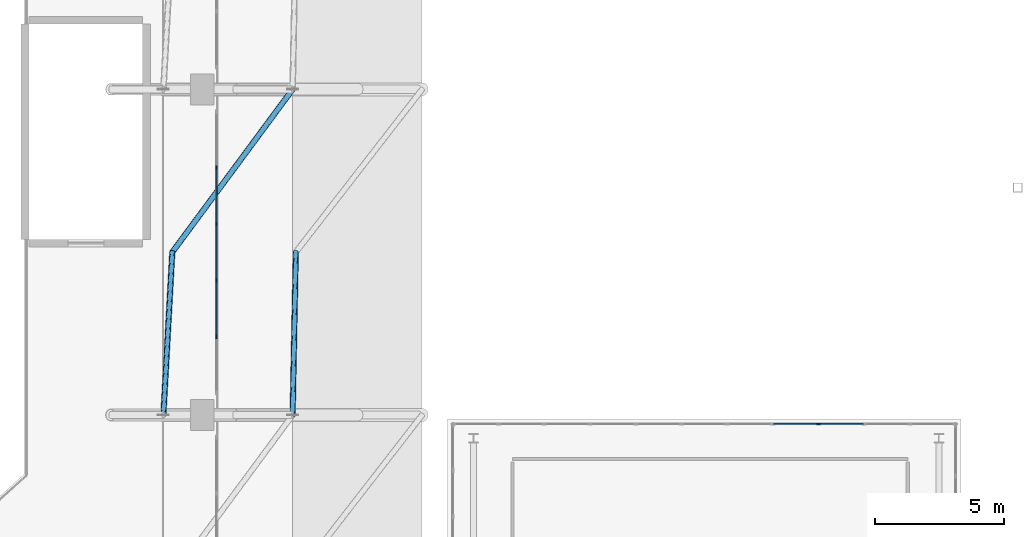
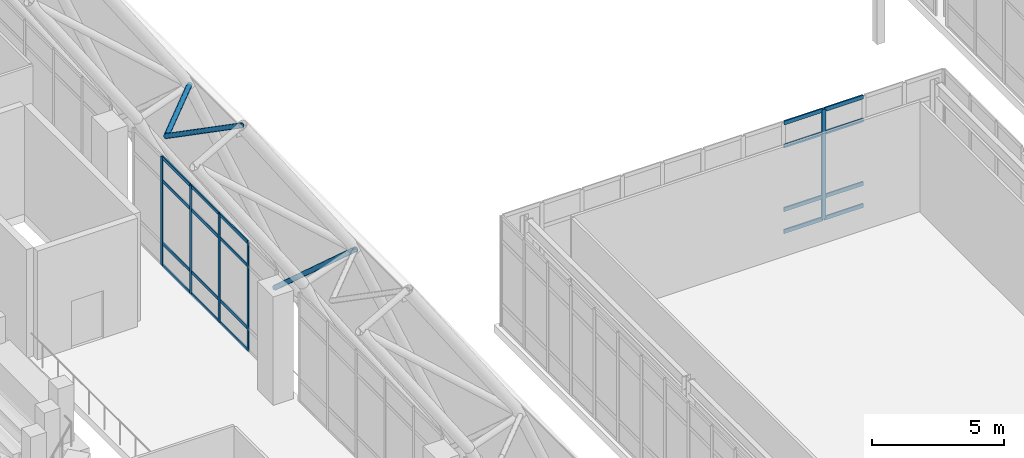
# One storey, part 43 of 159: 28 members, 2 elements without a shape of their own.
"""IFC4 building model written with IfcOpenShell, lengths in metres."""

import ifcopenshell
import ifcopenshell.guid

model = None  # the IFC model being written
_history = None  # IfcOwnerHistory: only IFC2X3 demands one
_inside = {}  # id of a spatial element -> (the spatial element, [elements in it])
_under = {}  # id of a project, library or spatial element -> (it, [spatial elements below it])
_declared = {}  # id of a project -> (the project, [libraries it declares])
_typed = {}  # id of a type object -> (the type object, [elements of that type])
_made_of = {}  # id of a material, layer set ... -> (it, [elements and type objects made of it])


def new_model(schema):
    """Start an empty IFC model of exactly this schema.

    Asked for "IFC4X3", IfcOpenShell would pick the latest addendum, in which some entities
    have other attributes; the version numbers below select the first issue.
    IFC2X3 requires an IfcOwnerHistory on every rooted entity: one is made here for all.
    """
    global model, _history
    if schema == "IFC4X3":
        model = ifcopenshell.file(schema_version=(4, 3, 0, 0))
    else:
        model = ifcopenshell.file(schema=schema)
    _inside.clear()
    _under.clear()
    _declared.clear()
    _typed.clear()
    _made_of.clear()
    _history = None
    if model.schema == "IFC2X3":
        org = make("IfcOrganization", Name="unknown")
        user = make(
            "IfcPersonAndOrganization",
            ThePerson=make("IfcPerson", FamilyName="unknown"),
            TheOrganization=org,
        )
        app = make(
            "IfcApplication",
            ApplicationDeveloper=org,
            Version="unknown",
            ApplicationFullName="unknown",
            ApplicationIdentifier="unknown",
        )
        _history = make(
            "IfcOwnerHistory",
            OwningUser=user,
            OwningApplication=app,
            ChangeAction="ADDED",
            CreationDate=0,
        )
    return model


def make(cls, **values):
    """One entity of the class cls with the attributes given. An attribute that is None is left unset."""
    return model.create_entity(
        cls, **{name: value for name, value in values.items() if value is not None}
    )


def rooted(cls, **values):
    """An entity with a GlobalId (a new one), such as an element, a storey or a relation."""
    return make(cls, GlobalId=ifcopenshell.guid.new(), OwnerHistory=_history, **values)


def si_unit(unit_type, name, prefix=None):
    """IfcSIUnit, for example si_unit("LENGTHUNIT", "METRE", prefix="MILLI")."""
    return make("IfcSIUnit", UnitType=unit_type, Prefix=prefix, Name=name)


def derived_unit(unit_type, elements):
    """IfcDerivedUnit: a product of units, each with its exponent."""
    return make(
        "IfcDerivedUnit",
        Elements=[
            make("IfcDerivedUnitElement", Unit=unit, Exponent=power)
            for unit, power in elements
        ],
        UnitType=unit_type,
    )


def assignment(units):
    """IfcUnitAssignment: the units of a project."""
    return None if units is None else make("IfcUnitAssignment", Units=units)


def point(xyz):
    """IfcCartesianPoint."""
    return None if xyz is None else make("IfcCartesianPoint", Coordinates=xyz)


def direction(xyz):
    """IfcDirection."""
    return None if xyz is None else make("IfcDirection", DirectionRatios=xyz)


def frame(location, z_axis=None, x_axis=None):
    """IfcAxis2Placement3D, a coordinate frame: its origin and axes. An axis left out is left unset."""
    return make(
        "IfcAxis2Placement3D",
        Location=point(location),
        Axis=direction(z_axis),
        RefDirection=direction(x_axis),
    )


def frame_2d(location, x_axis=None):
    """IfcAxis2Placement2D, a coordinate frame in the plane: its origin and x axis."""
    return make(
        "IfcAxis2Placement2D", Location=point(location), RefDirection=direction(x_axis)
    )


def origin():
    """The frame at (0, 0, 0) with its axes left unset."""
    return frame((0.0, 0.0, 0.0))


def origin_2d():
    """The frame at (0, 0) in the plane with its x axis left unset."""
    return frame_2d((0.0, 0.0))


def place(relative_to, where):
    """IfcLocalPlacement: puts the frame where relative to a parent placement (None: the world)."""
    return make(
        "IfcLocalPlacement", PlacementRelTo=relative_to, RelativePlacement=where
    )


def context(
    kind, dimensions, precision=None, world=None, true_north=None, identifier=None
):
    """IfcGeometricRepresentationContext, for example the 3D "Model" context."""
    return make(
        "IfcGeometricRepresentationContext",
        ContextIdentifier=identifier,
        ContextType=kind,
        CoordinateSpaceDimension=dimensions,
        Precision=precision,
        WorldCoordinateSystem=world,
        TrueNorth=true_north,
    )


def subcontext(parent, identifier, kind, view, scale=None):
    """IfcGeometricRepresentationSubContext, for example "Body" below "Model"."""
    return make(
        "IfcGeometricRepresentationSubContext",
        ContextIdentifier=identifier,
        ContextType=kind,
        ParentContext=parent,
        TargetScale=scale,
        TargetView=view,
    )


def project(units=None, contexts=None):
    """IfcProject with its units and contexts."""
    return rooted(
        "IfcProject",
        Name="project",
        RepresentationContexts=contexts,
        UnitsInContext=assignment(units),
    )


def spatial(cls, under=None, at=None, **own):
    """A site, building, storey or space (cls), placed at a placement, below another one or the project."""
    s = rooted(cls, ObjectPlacement=at, **own)
    if under is not None:
        _under.setdefault(under.id(), (under, []))[1].append(s)
    return s


def profile(cls, at=None, kind="AREA", **sizes):
    """A parametric profile (cls). Its sizes go by their IFC names, for example OverallWidth=200.0."""
    return make(cls, ProfileType=kind, Position=at, **sizes)


def rectangle(**sizes):
    """IfcRectangleProfileDef."""
    return profile("IfcRectangleProfileDef", **sizes)


def hollow_circle(**sizes):
    """IfcCircleHollowProfileDef."""
    return profile("IfcCircleHollowProfileDef", **sizes)


def extrude(swept, where, along, depth):
    """IfcExtrudedAreaSolid: the profile swept, set in the frame where, extruded along a direction by depth."""
    return make(
        "IfcExtrudedAreaSolid",
        SweptArea=swept,
        Position=where,
        ExtrudedDirection=direction(along),
        Depth=depth,
    )


def shape(context_of_items, identifier, shape_type, items):
    """IfcShapeRepresentation: the items that make up one representation, for example the "Body"."""
    return make(
        "IfcShapeRepresentation",
        ContextOfItems=context_of_items,
        RepresentationIdentifier=identifier,
        RepresentationType=shape_type,
        Items=items,
    )


def material(Name=None, Category=None):
    """IfcMaterial."""
    return make("IfcMaterial", Name=Name, Category=Category)


def layer(
    of_material, thickness, ventilated=None, Name=None, Category=None, Priority=None
):
    """IfcMaterialLayer: one layer of a wall or slab, of a material (None: an air gap)."""
    return make(
        "IfcMaterialLayer",
        Material=of_material,
        LayerThickness=thickness,
        IsVentilated=ventilated,
        Name=Name,
        Category=Category,
        Priority=Priority,
    )


def layer_set(layers, Name=None):
    """IfcMaterialLayerSet."""
    return make("IfcMaterialLayerSet", MaterialLayers=layers, LayerSetName=Name)


def material_profile(
    of_material, cross_section, Name=None, Category=None, Priority=None
):
    """IfcMaterialProfile: a cross section and its material."""
    return make(
        "IfcMaterialProfile",
        Name=Name,
        Material=of_material,
        Profile=cross_section,
        Priority=Priority,
        Category=Category,
    )


def profile_set(profiles, Name=None, composite=None):
    """IfcMaterialProfileSet."""
    return make(
        "IfcMaterialProfileSet",
        Name=Name,
        MaterialProfiles=profiles,
        CompositeProfile=composite,
    )


def made_of(thing, what):
    """Note that an element or type object is made of a material, layer set ...; save() writes the relation."""
    if what is not None:
        _made_of.setdefault(what.id(), (what, []))[1].append(thing)
    return thing


def type_object(cls, material=None, **own):
    """A type object (cls), such as IfcWallType, which elements share."""
    return made_of(rooted(cls, **own), material)


def element(
    cls,
    number,
    at=None,
    inside=None,
    cuts=None,
    type_object=None,
    material=None,
    context=None,
    identifier="Body",
    shape_type=None,
    held_by="IfcProductDefinitionShape",
    body=None,
    shapes=None,
    **own,
):
    """One element of the class cls, such as IfcWall. Its Tag is "e" and its number.

    at: its placement. inside: the storey or other place that contains it. cuts: it is an
    opening in that element (IfcRelVoidsElement). A single representation is given by context,
    identifier, shape_type and body (its items); several are given by shapes. held_by: the class
    of the entity that holds the representations. save() writes the other relations.
    """
    e = rooted(cls, Tag="e%d" % number, ObjectPlacement=at, **own)
    if body is not None:
        shapes = [shape(context, identifier, shape_type, body)]
    if shapes is not None:
        e.Representation = make(held_by, Representations=shapes)
    if inside is not None:
        _inside.setdefault(inside.id(), (inside, []))[1].append(e)
    if cuts is not None:
        rooted(
            "IfcRelVoidsElement", RelatingBuildingElement=cuts, RelatedOpeningElement=e
        )
    if type_object is not None:
        _typed.setdefault(type_object.id(), (type_object, []))[1].append(e)
    return made_of(e, material)


def aggregate(whole, parts):
    """IfcRelAggregates: a whole, such as a stair, and the parts it consists of."""
    return rooted("IfcRelAggregates", RelatingObject=whole, RelatedObjects=parts)


def save(model, path):
    """Write the relations noted so far, then the file.

    IfcRelAggregates (storeys below a building ...), IfcRelContainedInSpatialStructure (elements
    in a storey), IfcRelDefinesByType, IfcRelAssociatesMaterial and IfcRelDeclares: one each for
    every whole, place, type object, material and project.
    """
    for whole, parts in _under.values():
        aggregate(whole, parts)
    for where, things in _inside.values():
        rooted(
            "IfcRelContainedInSpatialStructure",
            RelatedElements=things,
            RelatingStructure=where,
        )
    for kind, things in _typed.values():
        rooted("IfcRelDefinesByType", RelatedObjects=things, RelatingType=kind)
    for what, things in _made_of.values():
        rooted("IfcRelAssociatesMaterial", RelatedObjects=things, RelatingMaterial=what)
    for by, libraries in _declared.values():
        rooted("IfcRelDeclares", RelatingContext=by, RelatedDefinitions=libraries)
    model.write(path)


model = new_model("IFC4")

# Units and contexts
model_context = context("Model", 3, precision=1e-05, world=origin(), true_north=direction((0.0, 1.0)))
body_context = subcontext(model_context, "Body", "Model", "MODEL_VIEW")
ifc_project = project(units=[si_unit("LENGTHUNIT", "METRE"), si_unit("AREAUNIT", "SQUARE_METRE"), si_unit("VOLUMEUNIT", "CUBIC_METRE"), si_unit("PLANEANGLEUNIT", "RADIAN"), si_unit("MASSUNIT", "GRAM", prefix="KILO"), derived_unit("THERMALTRANSMITTANCEUNIT", [(si_unit("MASSUNIT", "GRAM", prefix="KILO"), 1), (si_unit("TIMEUNIT", "SECOND"), -3), (si_unit("THERMODYNAMICTEMPERATUREUNIT", "KELVIN"), -1)])], contexts=[model_context])

# Site, building, storey
site_placement = place(None, origin())
site = spatial("IfcSite", under=ifc_project, at=site_placement, CompositionType="ELEMENT")
building_placement = place(site_placement, origin())
building = spatial("IfcBuilding", under=site, at=building_placement, Name="Valcora Ridge Arena", CompositionType="ELEMENT")
storey_placement = place(building_placement, frame((0.0, 0.0, 6.0)))
storey = spatial("IfcBuildingStorey", under=building, at=storey_placement, Name="L01", CompositionType="ELEMENT", Elevation=6.0)

# Curtain wall, members
ifc_material_1 = material(Name="Anodised dark bronze architectural aluminium 6063-T6", Category="aluminium")
ifc_layer_1 = layer(ifc_material_1, 0.14990234375, Name="Anodised dark bronze architectural aluminium 6063-T6")
ifc_layer_set_1 = layer_set([ifc_layer_1], Name="Anodised dark bronze architectural aluminium 6063-T6")
curtain_wall_type_1 = type_object("IfcCurtainWallType", Name="TY-CURTAINWALL-CW-V1-EAST-109X50", PredefinedType="NOTDEFINED", material=ifc_layer_set_1)
curtain_wall_1_placement = place(storey_placement, origin())
curtain_wall_1 = element("IfcCurtainWall", 1, at=curtain_wall_1_placement, inside=storey, type_object=curtain_wall_type_1, Name="CW-V1-EAST-109X50 CW-0108", PredefinedType="NOTDEFINED")
ifc_material_profile_1 = material_profile(ifc_material_1, rectangle(XDim=0.050048828125, YDim=0.14990234375, at=origin_2d()), Name="ALU MULLION 50x150")
ifc_profile_set_1 = profile_set([ifc_material_profile_1], Name="Anodised dark bronze architectural aluminium 6063-T6")
member_type_1 = type_object("IfcMemberType", Name="TY-MEM-CWM-50x150", PredefinedType="MULLION", material=ifc_profile_set_1)
member_1_placement = place(storey_placement, frame((103.050048828125, 48.22412109375, 0.0), z_axis=(0.0, 0.0, 1.0), x_axis=(-1.0, 0.0, 0.0)))
member_1 = element("IfcMember", 2, at=member_1_placement, type_object=member_type_1, Name="CW-0108/CWM-50x150/M01", PredefinedType="MULLION", context=body_context, shape_type="SweptSolid", body=[
    extrude(rectangle(XDim=0.050048828125, YDim=0.14990234375, at=origin_2d()), origin(), (0.0, 0.0, 1.0), 5.0400390625),
])
member_2_placement = place(storey_placement, frame((103.050048828125, 50.407958984375, 0.0), z_axis=(0.0, 0.0, 1.0), x_axis=(-1.0, 0.0, 0.0)))
member_2 = element("IfcMember", 3, at=member_2_placement, type_object=member_type_1, Name="CW-0108/CWM-50x150/M02", PredefinedType="MULLION", context=body_context, shape_type="SweptSolid", body=[
    extrude(rectangle(XDim=0.050048828125, YDim=0.14990234375, at=origin_2d()), origin(), (0.0, 0.0, 1.0), 5.0400390625),
])
member_3_placement = place(storey_placement, frame((103.050048828125, 52.592041015625, 0.0), z_axis=(0.0, 0.0, 1.0), x_axis=(-1.0, 0.0, 0.0)))
member_3 = element("IfcMember", 4, at=member_3_placement, type_object=member_type_1, Name="CW-0108/CWM-50x150/M03", PredefinedType="MULLION", context=body_context, shape_type="SweptSolid", body=[
    extrude(rectangle(XDim=0.050048828125, YDim=0.14990234375, at=origin_2d()), origin(), (0.0, 0.0, 1.0), 5.0400390625),
])
member_4_placement = place(storey_placement, frame((103.050048828125, 54.77587890625, 0.0), z_axis=(0.0, 0.0, 1.0), x_axis=(-1.0, 0.0, 0.0)))
member_4 = element("IfcMember", 5, at=member_4_placement, type_object=member_type_1, Name="CW-0108/CWM-50x150/M04", PredefinedType="MULLION", context=body_context, shape_type="SweptSolid", body=[
    extrude(rectangle(XDim=0.050048828125, YDim=0.14990234375, at=origin_2d()), origin(), (0.0, 0.0, 1.0), 5.0400390625),
])

# Curtain wall, member
ifc_layer_2 = layer(ifc_material_1, 0.179931640625, Name="Anodised dark bronze architectural aluminium 6063-T6")
ifc_layer_set_2 = layer_set([ifc_layer_2], Name="Anodised dark bronze architectural aluminium 6063-T6")
curtain_wall_type_2 = type_object("IfcCurtainWallType", Name="TY-CURTAINWALL-CW-V3-LANCET-194X51", PredefinedType="NOTDEFINED", material=ifc_layer_set_2)
curtain_wall_2_placement = place(storey_placement, origin())
curtain_wall_2 = element("IfcCurtainWall", 6, at=curtain_wall_2_placement, inside=storey, type_object=curtain_wall_type_2, Name="CW-V3-LANCET-194X51 CW-0017", PredefinedType="NOTDEFINED")
ifc_material_profile_2 = material_profile(ifc_material_1, rectangle(XDim=0.06005859375, YDim=0.179931640625, at=origin_2d()), Name="ALU MULLION 60x180")
ifc_profile_set_2 = profile_set([ifc_material_profile_2], Name="Anodised dark bronze architectural aluminium 6063-T6")
member_type_2 = type_object("IfcMemberType", Name="TY-MEM-CWM-60x180", PredefinedType="MULLION", material=ifc_profile_set_2)
member_5_placement = place(storey_placement, frame((126.345458984375, 44.85009765625, 0.0), z_axis=(0.0, 0.0, 1.0), x_axis=(0.0, 1.0, 0.0)))
member_5 = element("IfcMember", 7, at=member_5_placement, type_object=member_type_2, Name="CW-0017/CWM-60x180/M08", PredefinedType="MULLION", context=body_context, shape_type="SweptSolid", body=[
    extrude(rectangle(XDim=0.06005859375, YDim=0.179931640625, at=origin_2d()), origin(), (0.0, 0.0, 1.0), 5.10009765625),
])

# Member
ifc_material_profile_3 = material_profile(ifc_material_1, rectangle(XDim=0.050048828125, YDim=0.14990234375, at=origin_2d()), Name="ALU TRANSOM 50x150")
ifc_profile_set_3 = profile_set([ifc_material_profile_3], Name="Anodised dark bronze architectural aluminium 6063-T6")
member_type_3 = type_object("IfcMemberType", Name="TY-MEM-CWT-50x150", PredefinedType="USERDEFINED", material=ifc_profile_set_3)
member_6_placement = place(storey_placement, frame((103.050048828125, 48.2490234375, 0.02490234375), z_axis=(0.0, 1.0, 0.0), x_axis=(-1.0, 0.0, 0.0)))
member_6 = element("IfcMember", 8, at=member_6_placement, type_object=member_type_3, Name="CW-0108/CWT-50x150/T01-00", ObjectType="TRANSOM", PredefinedType="USERDEFINED", context=body_context, shape_type="SweptSolid", body=[
    extrude(rectangle(XDim=0.050048828125, YDim=0.14990234375, at=origin_2d()), origin(), (0.0, 0.0, 1.0), 2.134033203125),
])

member_7_placement = place(storey_placement, frame((103.050048828125, 48.2490234375, 1.050048828125), z_axis=(0.0, 1.0, 0.0), x_axis=(-1.0, 0.0, 0.0)))
member_7 = element("IfcMember", 9, at=member_7_placement, type_object=member_type_3, Name="CW-0108/CWT-50x150/T01-01", ObjectType="TRANSOM", PredefinedType="USERDEFINED", context=body_context, shape_type="SweptSolid", body=[
    extrude(rectangle(XDim=0.050048828125, YDim=0.14990234375, at=origin_2d()), origin(), (0.0, 0.0, 1.0), 2.134033203125),
])

member_8_placement = place(storey_placement, frame((103.050048828125, 48.2490234375, 3.93994140625), z_axis=(0.0, 1.0, 0.0), x_axis=(-1.0, 0.0, 0.0)))
member_8 = element("IfcMember", 10, at=member_8_placement, type_object=member_type_3, Name="CW-0108/CWT-50x150/T01-02", ObjectType="TRANSOM", PredefinedType="USERDEFINED", context=body_context, shape_type="SweptSolid", body=[
    extrude(rectangle(XDim=0.050048828125, YDim=0.14990234375, at=origin_2d()), origin(), (0.0, 0.0, 1.0), 2.134033203125),
])

member_9_placement = place(storey_placement, frame((103.050048828125, 48.2490234375, 5.014892578125), z_axis=(0.0, 1.0, 0.0), x_axis=(-1.0, 0.0, 0.0)))
member_9 = element("IfcMember", 11, at=member_9_placement, type_object=member_type_3, Name="CW-0108/CWT-50x150/T01-03", ObjectType="TRANSOM", PredefinedType="USERDEFINED", context=body_context, shape_type="SweptSolid", body=[
    extrude(rectangle(XDim=0.050048828125, YDim=0.14990234375, at=origin_2d()), origin(), (0.0, 0.0, 1.0), 2.134033203125),
])

member_10_placement = place(storey_placement, frame((103.050048828125, 50.43310546875, 0.02490234375), z_axis=(0.0, 1.0, 0.0), x_axis=(-1.0, 0.0, 0.0)))
member_10 = element("IfcMember", 12, at=member_10_placement, type_object=member_type_3, Name="CW-0108/CWT-50x150/T02-00", ObjectType="TRANSOM", PredefinedType="USERDEFINED", context=body_context, shape_type="SweptSolid", body=[
    extrude(rectangle(XDim=0.050048828125, YDim=0.14990234375, at=origin_2d()), origin(), (0.0, 0.0, 1.0), 2.1337890625),
])

member_11_placement = place(storey_placement, frame((103.050048828125, 50.43310546875, 1.050048828125), z_axis=(0.0, 1.0, 0.0), x_axis=(-1.0, 0.0, 0.0)))
member_11 = element("IfcMember", 13, at=member_11_placement, type_object=member_type_3, Name="CW-0108/CWT-50x150/T02-01", ObjectType="TRANSOM", PredefinedType="USERDEFINED", context=body_context, shape_type="SweptSolid", body=[
    extrude(rectangle(XDim=0.050048828125, YDim=0.14990234375, at=origin_2d()), origin(), (0.0, 0.0, 1.0), 2.1337890625),
])

member_12_placement = place(storey_placement, frame((103.050048828125, 50.43310546875, 3.93994140625), z_axis=(0.0, 1.0, 0.0), x_axis=(-1.0, 0.0, 0.0)))
member_12 = element("IfcMember", 14, at=member_12_placement, type_object=member_type_3, Name="CW-0108/CWT-50x150/T02-02", ObjectType="TRANSOM", PredefinedType="USERDEFINED", context=body_context, shape_type="SweptSolid", body=[
    extrude(rectangle(XDim=0.050048828125, YDim=0.14990234375, at=origin_2d()), origin(), (0.0, 0.0, 1.0), 2.1337890625),
])

member_13_placement = place(storey_placement, frame((103.050048828125, 50.43310546875, 5.014892578125), z_axis=(0.0, 1.0, 0.0), x_axis=(-1.0, 0.0, 0.0)))
member_13 = element("IfcMember", 15, at=member_13_placement, type_object=member_type_3, Name="CW-0108/CWT-50x150/T02-03", ObjectType="TRANSOM", PredefinedType="USERDEFINED", context=body_context, shape_type="SweptSolid", body=[
    extrude(rectangle(XDim=0.050048828125, YDim=0.14990234375, at=origin_2d()), origin(), (0.0, 0.0, 1.0), 2.1337890625),
])

member_14_placement = place(storey_placement, frame((103.050048828125, 52.616943359375, 0.02490234375), z_axis=(0.0, 1.0, 0.0), x_axis=(-1.0, 0.0, 0.0)))
member_14 = element("IfcMember", 16, at=member_14_placement, type_object=member_type_3, Name="CW-0108/CWT-50x150/T03-00", ObjectType="TRANSOM", PredefinedType="USERDEFINED", context=body_context, shape_type="SweptSolid", body=[
    extrude(rectangle(XDim=0.050048828125, YDim=0.14990234375, at=origin_2d()), origin(), (0.0, 0.0, 1.0), 2.134033203125),
])

member_15_placement = place(storey_placement, frame((103.050048828125, 52.616943359375, 1.050048828125), z_axis=(0.0, 1.0, 0.0), x_axis=(-1.0, 0.0, 0.0)))
member_15 = element("IfcMember", 17, at=member_15_placement, type_object=member_type_3, Name="CW-0108/CWT-50x150/T03-01", ObjectType="TRANSOM", PredefinedType="USERDEFINED", context=body_context, shape_type="SweptSolid", body=[
    extrude(rectangle(XDim=0.050048828125, YDim=0.14990234375, at=origin_2d()), origin(), (0.0, 0.0, 1.0), 2.134033203125),
])

member_16_placement = place(storey_placement, frame((103.050048828125, 52.616943359375, 3.93994140625), z_axis=(0.0, 1.0, 0.0), x_axis=(-1.0, 0.0, 0.0)))
member_16 = element("IfcMember", 18, at=member_16_placement, type_object=member_type_3, Name="CW-0108/CWT-50x150/T03-02", ObjectType="TRANSOM", PredefinedType="USERDEFINED", context=body_context, shape_type="SweptSolid", body=[
    extrude(rectangle(XDim=0.050048828125, YDim=0.14990234375, at=origin_2d()), origin(), (0.0, 0.0, 1.0), 2.134033203125),
])

member_17_placement = place(storey_placement, frame((103.050048828125, 52.616943359375, 5.014892578125), z_axis=(0.0, 1.0, 0.0), x_axis=(-1.0, 0.0, 0.0)))
member_17 = element("IfcMember", 19, at=member_17_placement, type_object=member_type_3, Name="CW-0108/CWT-50x150/T03-03", ObjectType="TRANSOM", PredefinedType="USERDEFINED", context=body_context, shape_type="SweptSolid", body=[
    extrude(rectangle(XDim=0.050048828125, YDim=0.14990234375, at=origin_2d()), origin(), (0.0, 0.0, 1.0), 2.134033203125),
])

aggregate(curtain_wall_1, [member_1, member_2, member_3, member_4, member_6, member_7, member_8, member_9, member_10, member_11, member_12, member_13, member_14, member_15, member_16, member_17])

ifc_material_profile_4 = material_profile(ifc_material_1, rectangle(XDim=0.06005859375, YDim=0.179931640625, at=origin_2d()), Name="ALU TRANSOM 60x180")
ifc_profile_set_4 = profile_set([ifc_material_profile_4], Name="Anodised dark bronze architectural aluminium 6063-T6")
member_type_4 = type_object("IfcMemberType", Name="TY-MEM-CWT-60x180", PredefinedType="USERDEFINED", material=ifc_profile_set_4)
member_18_placement = place(storey_placement, frame((124.60693359375, 44.85009765625, 0.030029296875), z_axis=(1.0, 0.0, 0.0), x_axis=(0.0, 1.0, 0.0)))
member_18 = element("IfcMember", 20, at=member_18_placement, type_object=member_type_4, Name="CW-0017/CWT-60x180/T07-00", ObjectType="TRANSOM", PredefinedType="USERDEFINED", context=body_context, shape_type="SweptSolid", body=[
    extrude(rectangle(XDim=0.06005859375, YDim=0.179931640625, at=origin_2d()), origin(), (0.0, 0.0, 1.0), 1.7080078125),
])

member_19_placement = place(storey_placement, frame((124.60693359375, 44.85009765625, 1.050048828125), z_axis=(1.0, 0.0, 0.0), x_axis=(0.0, 1.0, 0.0)))
member_19 = element("IfcMember", 21, at=member_19_placement, type_object=member_type_4, Name="CW-0017/CWT-60x180/T07-01", ObjectType="TRANSOM", PredefinedType="USERDEFINED", context=body_context, shape_type="SweptSolid", body=[
    extrude(rectangle(XDim=0.06005859375, YDim=0.179931640625, at=origin_2d()), origin(), (0.0, 0.0, 1.0), 1.7080078125),
])

member_20_placement = place(storey_placement, frame((124.60693359375, 44.85009765625, 4.0), z_axis=(1.0, 0.0, 0.0), x_axis=(0.0, 1.0, 0.0)))
member_20 = element("IfcMember", 22, at=member_20_placement, type_object=member_type_4, Name="CW-0017/CWT-60x180/T07-02", ObjectType="TRANSOM", PredefinedType="USERDEFINED", context=body_context, shape_type="SweptSolid", body=[
    extrude(rectangle(XDim=0.06005859375, YDim=0.179931640625, at=origin_2d()), origin(), (0.0, 0.0, 1.0), 1.7080078125),
])

member_21_placement = place(storey_placement, frame((124.60693359375, 44.85009765625, 5.070068359375), z_axis=(1.0, 0.0, 0.0), x_axis=(0.0, 1.0, 0.0)))
member_21 = element("IfcMember", 23, at=member_21_placement, type_object=member_type_4, Name="CW-0017/CWT-60x180/T07-03", ObjectType="TRANSOM", PredefinedType="USERDEFINED", context=body_context, shape_type="SweptSolid", body=[
    extrude(rectangle(XDim=0.06005859375, YDim=0.179931640625, at=origin_2d()), origin(), (0.0, 0.0, 1.0), 1.7080078125),
])

member_22_placement = place(storey_placement, frame((126.375, 44.85009765625, 0.030029296875), z_axis=(1.0, 0.0, 0.0), x_axis=(0.0, 1.0, 0.0)))
member_22 = element("IfcMember", 24, at=member_22_placement, type_object=member_type_4, Name="CW-0017/CWT-60x180/T08-00", ObjectType="TRANSOM", PredefinedType="USERDEFINED", context=body_context, shape_type="SweptSolid", body=[
    extrude(rectangle(XDim=0.06005859375, YDim=0.179931640625, at=origin_2d()), origin(), (0.0, 0.0, 1.0), 1.708984375),
])

member_23_placement = place(storey_placement, frame((126.375, 44.85009765625, 1.050048828125), z_axis=(1.0, 0.0, 0.0), x_axis=(0.0, 1.0, 0.0)))
member_23 = element("IfcMember", 25, at=member_23_placement, type_object=member_type_4, Name="CW-0017/CWT-60x180/T08-01", ObjectType="TRANSOM", PredefinedType="USERDEFINED", context=body_context, shape_type="SweptSolid", body=[
    extrude(rectangle(XDim=0.06005859375, YDim=0.179931640625, at=origin_2d()), origin(), (0.0, 0.0, 1.0), 1.708984375),
])

member_24_placement = place(storey_placement, frame((126.375, 44.85009765625, 4.0), z_axis=(1.0, 0.0, 0.0), x_axis=(0.0, 1.0, 0.0)))
member_24 = element("IfcMember", 26, at=member_24_placement, type_object=member_type_4, Name="CW-0017/CWT-60x180/T08-02", ObjectType="TRANSOM", PredefinedType="USERDEFINED", context=body_context, shape_type="SweptSolid", body=[
    extrude(rectangle(XDim=0.06005859375, YDim=0.179931640625, at=origin_2d()), origin(), (0.0, 0.0, 1.0), 1.708984375),
])

member_25_placement = place(storey_placement, frame((126.375, 44.85009765625, 5.070068359375), z_axis=(1.0, 0.0, 0.0), x_axis=(0.0, 1.0, 0.0)))
member_25 = element("IfcMember", 27, at=member_25_placement, type_object=member_type_4, Name="CW-0017/CWT-60x180/T08-03", ObjectType="TRANSOM", PredefinedType="USERDEFINED", context=body_context, shape_type="SweptSolid", body=[
    extrude(rectangle(XDim=0.06005859375, YDim=0.179931640625, at=origin_2d()), origin(), (0.0, 0.0, 1.0), 1.708984375),
])

aggregate(curtain_wall_2, [member_5, member_18, member_19, member_20, member_21, member_22, member_23, member_24, member_25])

# Members
ifc_material_2 = material(Name="Steel ASTM A500 Grade C", Category="steel")
ifc_material_profile_5 = material_profile(ifc_material_2, hollow_circle(Radius=0.109619140625, WallThickness=0.010009765625, at=origin_2d()), Name="CHS219X10")
ifc_profile_set_5 = profile_set([ifc_material_profile_5], Name="Steel ASTM A500 Grade C")
member_type_5 = type_object("IfcMemberType", Name="TY-MEMBER-SFST-219", PredefinedType="STRUT", material=ifc_profile_set_5)
member_26_placement = place(storey_placement, frame((101.343505859375, 51.5, 8.570068359375), z_axis=(-0.044545322224, -0.816980838661, 0.57494175664), x_axis=(0.998516855542, -0.054443449554, 0.0)))
element("IfcMember", 28, at=member_26_placement, inside=storey, type_object=member_type_5, Name="SFST-219 Space Frame Tie Strut", PredefinedType="STRUT", context=body_context, shape_type="SweptSolid", body=[
    extrude(hollow_circle(Radius=0.109619140625, WallThickness=0.010009765625, at=origin_2d()), origin(), (0.0, 0.0, 1.0), 7.71142578125),
])
member_27_placement = place(storey_placement, frame((101.343505859375, 51.5, 8.570068359375), z_axis=(0.55356081568, 0.748945464721, -0.364213006657), x_axis=(-0.804180027391, 0.59438580362, 0.0)))
element("IfcMember", 29, at=member_27_placement, inside=storey, type_object=member_type_5, Name="SFST-219 Space Frame Tie Strut", PredefinedType="STRUT", context=body_context, shape_type="SweptSolid", body=[
    extrude(hollow_circle(Radius=0.109619140625, WallThickness=0.010009765625, at=origin_2d()), origin(), (0.0, 0.0, 1.0), 8.411865234375),
])
member_28_placement = place(storey_placement, frame((106.122314453125, 51.5, -0.131103515625), z_axis=(-0.014466583162, -0.745130096773, 0.666762219127), x_axis=(0.999811585217, -0.019411184042, 0.0)))
element("IfcMember", 30, at=member_28_placement, inside=storey, type_object=member_type_5, Name="SFST-219 Space Frame Tie Strut", PredefinedType="STRUT", context=body_context, shape_type="SweptSolid", body=[
    extrude(hollow_circle(Radius=0.109619140625, WallThickness=0.010009765625, at=origin_2d()), origin(), (0.0, 0.0, 1.0), 8.455078125),
])

save(model, "model.ifc")
